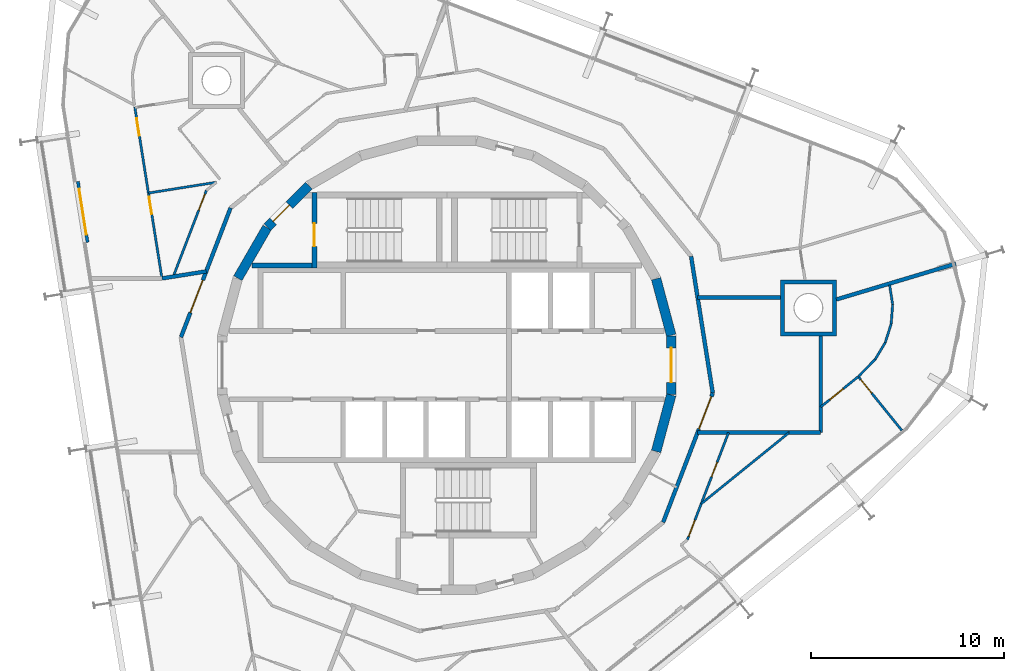
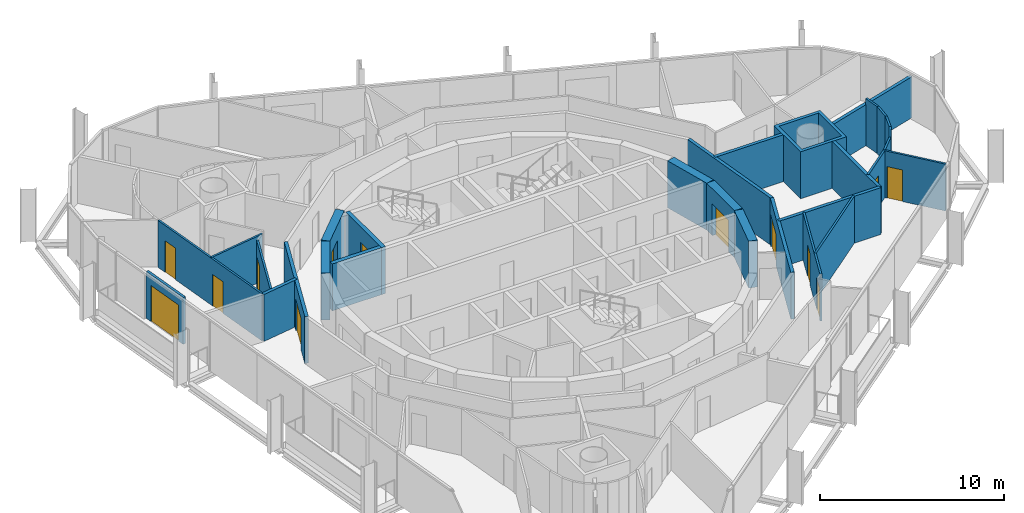
# One storey, part 14 of 18: 30 walls, 13 doors, 13 openings.
"""IFC4 building model written with IfcOpenShell, lengths in metres."""

from ifc_helpers import new_model, si_unit, direction, frame, frame_2d, origin, place, context, subcontext, project, spatial, polyline, rectangle, outline, extrude, material, layer, layer_set, type_object, element, fill, save


model = new_model("IFC4")

# Units and contexts
model_context = context("Model", 3, precision=1e-05, world=origin(), true_north=direction((0.0, 1.0)))
body_context = subcontext(model_context, "Body", "Model", "MODEL_VIEW")
ifc_project = project(units=[si_unit("LENGTHUNIT", "METRE"), si_unit("AREAUNIT", "SQUARE_METRE"), si_unit("VOLUMEUNIT", "CUBIC_METRE"), si_unit("PLANEANGLEUNIT", "RADIAN"), si_unit("MASSUNIT", "GRAM", prefix="KILO")], contexts=[model_context])

# Site, building, storey
site_placement = place(None, origin())
site = spatial("IfcSite", under=ifc_project, at=site_placement, CompositionType="ELEMENT")
building_placement = place(site_placement, origin())
building = spatial("IfcBuilding", under=site, at=building_placement, Name="Spindle Arch Residences", CompositionType="ELEMENT")
storey_placement = place(building_placement, frame((0.0, 0.0, 273.89990234375)))
storey = spatial("IfcBuildingStorey", under=building, at=storey_placement, Name="L70", CompositionType="ELEMENT", Elevation=273.89990234375)

# Wall
ifc_material_1 = material(Name="Concrete C50/60", Category="concrete")
ifc_layer_1 = layer(ifc_material_1, 0.5)
ifc_layer_set_1 = layer_set([ifc_layer_1], Name="Core outline wall 500")
wall_type_1 = type_object("IfcWallType", Name="Core outline wall 500", PredefinedType="SHEAR", material=ifc_layer_set_1)
wall_1_placement = place(storey_placement, frame((10.858154296875, -4.479248046875, 0.0), z_axis=(0.0, 0.0, 1.0), x_axis=(0.258734743916, 0.965948410781, 0.0)))
element("IfcWall", 1, at=wall_1_placement, inside=storey, type_object=wall_type_1, Name="Core outline wall 5", PredefinedType="SHEAR", context=body_context, shape_type="SweptSolid", body=[
    extrude(rectangle(XDim=3.03271484375, YDim=0.5, at=frame_2d((1.516357421875, 0.0))), origin(), (0.0, 0.0, 1.0), 3.1201171875),
])

# Wall, opening, door
wall_2_placement = place(storey_placement, frame((11.647216796875, -1.516357421875, 0.0), z_axis=(0.0, 0.0, 1.0), x_axis=(0.0, 1.0, 0.0)))
wall_2 = element("IfcWall", 2, at=wall_2_placement, inside=storey, type_object=wall_type_1, Name="Core outline wall 6", PredefinedType="SHEAR", context=body_context, shape_type="SweptSolid", body=[
    extrude(rectangle(XDim=3.03271484375, YDim=0.5, at=frame_2d((1.516357421875, 0.0))), origin(), (0.0, 0.0, 1.0), 3.1201171875),
])
opening_1_placement = place(wall_2_placement, frame((0.6162109375, 0.0, 0.0)))
opening_1 = element("IfcOpeningElement", 3, at=opening_1_placement, cuts=wall_2, Name="Opening R7B1-FE01", PredefinedType="OPENING", context=body_context, shape_type="SweptSolid", body=[
    extrude(rectangle(XDim=1.800048828125, YDim=2.10009765625, at=frame_2d((0.89990234375, 1.050048828125))), frame((0.0, 0.260009765625, 0.0), z_axis=(0.0, -1.0, 0.0), x_axis=(1.0, 0.0, 0.0)), (0.0, 0.0, 1.0), 0.52001953125),
])
ifc_material_2 = material(Name="Steel, fire-resisting door", Category="steel")
door_type_1 = type_object("IfcDoorType", Name="Fire-lift lobby door 1800x2100", OperationType="DOUBLE_DOOR_SINGLE_SWING", PredefinedType="DOOR", material=ifc_material_2)
door_1_placement = place(opening_1_placement, origin())
door_1 = element("IfcDoor", 4, at=door_1_placement, inside=storey, type_object=door_type_1, Name="Fire-lift lobby door R7B1-FE01", OperationType="DOUBLE_DOOR_SINGLE_SWING", OverallHeight=2.10009765625, OverallWidth=1.800048828125, PredefinedType="DOOR", context=body_context, shape_type="SweptSolid", body=[
    extrude(rectangle(XDim=1.800048828125, YDim=2.10009765625, at=frame_2d((0.89990234375, 1.050048828125))), frame((0.0, 0.02490234375, 0.0), z_axis=(0.0, -1.0, 0.0), x_axis=(1.0, 0.0, 0.0)), (0.0, 0.0, 1.0), 0.050048828125),
])
fill(opening_1, door_1)

# Wall
wall_3_placement = place(storey_placement, frame((11.642822265625, 1.5498046875, 0.0), z_axis=(0.0, 0.0, 1.0), x_axis=(-0.258734743916, 0.965948410781, 0.0)))
element("IfcWall", 5, at=wall_3_placement, inside=storey, type_object=wall_type_1, Name="Core outline wall 7", PredefinedType="SHEAR", context=body_context, shape_type="SweptSolid", body=[
    extrude(rectangle(XDim=3.03271484375, YDim=0.5, at=frame_2d((1.516357421875, 0.0))), origin(), (0.0, 0.0, 1.0), 3.1201171875),
])

# Wall, opening, door
wall_4_placement = place(storey_placement, frame((-7.163818359375, 9.30810546875, 0.0), z_axis=(0.0, 0.0, 1.0), x_axis=(-0.707106781187, -0.707106781187, 0.0)))
wall_4 = element("IfcWall", 6, at=wall_4_placement, inside=storey, type_object=wall_type_1, Name="Core outline wall 15", PredefinedType="SHEAR", context=body_context, shape_type="SweptSolid", body=[
    extrude(rectangle(XDim=3.032470703125, YDim=0.5, at=frame_2d((1.51611328125, 0.0))), origin(), (0.0, 0.0, 1.0), 3.1201171875),
])
opening_2_placement = place(wall_4_placement, frame((1.416259765625, 0.0, 0.0)))
opening_2 = element("IfcOpeningElement", 7, at=opening_2_placement, cuts=wall_4, Name="Opening R7B1-AD02", PredefinedType="OPENING", context=body_context, shape_type="SweptSolid", body=[
    extrude(rectangle(XDim=1.199951171875, YDim=2.10009765625, at=frame_2d((0.60009765625, 1.050048828125))), frame((0.0, 0.260009765625, 0.0), z_axis=(0.0, -1.0, 0.0), x_axis=(1.0, 0.0, 0.0)), (0.0, 0.0, 1.0), 0.52001953125),
])
ifc_material_3 = material(Name="Steel, fire-resisting door", Category="steel")
door_type_2 = type_object("IfcDoorType", Name="Stair airlock door 1200x2100", OperationType="SINGLE_SWING_LEFT", PredefinedType="DOOR", material=ifc_material_3)
door_2_placement = place(opening_2_placement, origin())
door_2 = element("IfcDoor", 8, at=door_2_placement, inside=storey, type_object=door_type_2, Name="Stair airlock door R7B1-AD02", OperationType="SINGLE_SWING_RIGHT", OverallHeight=2.10009765625, OverallWidth=1.199951171875, PredefinedType="DOOR", context=body_context, shape_type="SweptSolid", body=[
    extrude(rectangle(XDim=1.199951171875, YDim=2.10009765625, at=frame_2d((0.60009765625, 1.050048828125))), frame((0.0, 0.02490234375, 0.0), z_axis=(0.0, -1.0, 0.0), x_axis=(1.0, 0.0, 0.0)), (0.0, 0.0, 1.0), 0.050048828125),
])
fill(opening_2, door_2)

# Wall
wall_5_placement = place(storey_placement, frame((-9.32861328125, 7.13671875, 0.0), z_axis=(0.0, 0.0, 1.0), x_axis=(-0.500087131594, -0.865975092491, 0.0)))
element("IfcWall", 9, at=wall_5_placement, inside=storey, type_object=wall_type_1, Name="Core outline wall 16", PredefinedType="SHEAR", context=body_context, shape_type="SweptSolid", body=[
    extrude(rectangle(XDim=3.03271484375, YDim=0.5, at=frame_2d((1.516357421875, 0.0))), origin(), (0.0, 0.0, 1.0), 3.1201171875),
])

# Wall, opening, door
ifc_material_4 = material(Name="Calcium silicate block, plastered")
ifc_layer_2 = layer(ifc_material_4, 0.199951171875)
ifc_layer_set_2 = layer_set([ifc_layer_2], Name="Fire-lift lobby bay wall 200")
wall_type_2 = type_object("IfcWallType", Name="Fire-lift lobby bay wall 200", PredefinedType="STANDARD", material=ifc_layer_set_2)
wall_6_placement = place(storey_placement, frame((11.223388671875, -8.154296875, 0.0), z_axis=(0.0, 0.0, 1.0), x_axis=(0.358341090983, 0.93359073609, 0.0)))
wall_6 = element("IfcWall", 10, at=wall_6_placement, inside=storey, type_object=wall_type_2, Name="Fire-lift lobby bay wall R7B1-W004", PredefinedType="STANDARD", context=body_context, shape_type="SweptSolid", body=[
    extrude(rectangle(XDim=7.180908203125, YDim=0.199951171875, at=frame_2d((3.59033203125, 0.0))), origin(), (0.0, 0.0, 1.0), 3.1201171875),
])
opening_3_placement = place(wall_6_placement, frame((5.185302734375, 0.0, 0.0)))
opening_3 = element("IfcOpeningElement", 11, at=opening_3_placement, cuts=wall_6, Name="Opening R7B1-FB01", PredefinedType="OPENING", context=body_context, shape_type="SweptSolid", body=[
    extrude(rectangle(XDim=1.800048828125, YDim=2.10009765625, at=frame_2d((0.89990234375, 1.050048828125))), frame((0.0, 0.10986328125, 0.0), z_axis=(0.0, -1.0, 0.0), x_axis=(1.0, 0.0, 0.0)), (0.0, 0.0, 1.0), 0.219970703125),
])
ifc_material_5 = material(Name="Steel, fire-resisting door", Category="steel")
door_type_3 = type_object("IfcDoorType", Name="Fire-lift lobby bay door 1800x2100", OperationType="NOTDEFINED", PredefinedType="DOOR", material=ifc_material_5)
door_3_placement = place(opening_3_placement, origin())
door_3 = element("IfcDoor", 12, at=door_3_placement, inside=storey, type_object=door_type_3, Name="Fire-lift lobby bay door R7B1-FB01", OperationType="DOUBLE_DOOR_SINGLE_SWING", OverallHeight=2.10009765625, OverallWidth=1.800048828125, PredefinedType="DOOR", context=body_context, shape_type="SweptSolid", body=[
    extrude(rectangle(XDim=1.800048828125, YDim=2.10009765625, at=frame_2d((0.89990234375, 1.050048828125))), frame((0.0, 0.02490234375, 0.0), z_axis=(0.0, -1.0, 0.0), x_axis=(1.0, 0.0, 0.0)), (0.0, 0.0, 1.0), 0.050048828125),
])
fill(opening_3, door_3)

# Walls
wall_7_placement = place(storey_placement, frame((13.796630859375, -1.4501953125, 0.0), z_axis=(0.0, 0.0, 1.0), x_axis=(-0.156421704315, 0.987690361611, 0.0)))
element("IfcWall", 13, at=wall_7_placement, inside=storey, type_object=wall_type_2, Name="Fire-lift lobby bay wall R7B1-W005", PredefinedType="STANDARD", context=body_context, shape_type="SweptSolid", body=[
    extrude(rectangle(XDim=7.18115234375, YDim=0.199951171875, at=frame_2d((3.590576171875, 0.0))), origin(), (0.0, 0.0, 1.0), 3.1201171875),
])
wall_8_placement = place(storey_placement, frame((17.309326171875, 3.5, 0.0), z_axis=(0.0, 0.0, 1.0), x_axis=(-1.0, 0.0, 0.0)))
element("IfcWall", 14, at=wall_8_placement, inside=storey, type_object=wall_type_2, Name="Fire-lift lobby bay wall R7B1-W019", PredefinedType="STANDARD", context=body_context, shape_type="SweptSolid", body=[
    extrude(rectangle(XDim=4.296630859375, YDim=0.199951171875, at=frame_2d((2.1484375, 0.0))), origin(), (0.0, 0.0, 1.0), 3.1201171875),
])
wall_9_placement = place(storey_placement, frame((13.009765625, -3.5, 0.0), z_axis=(0.0, 0.0, 1.0), x_axis=(1.0, 0.0, 0.0)))
element("IfcWall", 15, at=wall_9_placement, inside=storey, type_object=wall_type_2, Name="Fire-lift lobby bay wall R7B1-W020", PredefinedType="STANDARD", context=body_context, shape_type="SweptSolid", body=[
    extrude(rectangle(XDim=4.75, YDim=0.199951171875, at=frame_2d((2.375, 0.0))), origin(), (0.0, 0.0, 1.0), 3.1201171875),
])
wall_10_placement = place(storey_placement, frame((19.39990234375, -3.5, 0.0), z_axis=(0.0, 0.0, 1.0), x_axis=(0.0, 1.0, 0.0)))
element("IfcWall", 16, at=wall_10_placement, inside=storey, type_object=wall_type_2, Name="Fire-lift lobby bay wall R7B1-W021", PredefinedType="STANDARD", context=body_context, shape_type="SweptSolid", body=[
    extrude(rectangle(XDim=5.021240234375, YDim=0.199951171875, at=frame_2d((2.5107421875, 0.0))), origin(), (0.0, 0.0, 1.0), 3.1201171875),
])
wall_11_placement = place(storey_placement, frame((17.759765625, -3.5, 0.0), z_axis=(0.0, 0.0, 1.0), x_axis=(1.0, 0.0, 0.0)))
element("IfcWall", 17, at=wall_11_placement, inside=storey, type_object=wall_type_2, Name="Fire-lift lobby bay wall R7B1-W022", PredefinedType="STANDARD", context=body_context, shape_type="SweptSolid", body=[
    extrude(rectangle(XDim=1.64013671875, YDim=0.199951171875, at=frame_2d((0.820068359375, 0.0))), origin(), (0.0, 0.0, 1.0), 3.1201171875),
])

# Wall, opening, door
ifc_material_6 = material(Name="Plasterboard on steel studs", Category="steel")
ifc_layer_3 = layer(ifc_material_6, 0.1201171875)
ifc_layer_set_3 = layer_set([ifc_layer_3], Name="Flat partition 120")
wall_type_3 = type_object("IfcWallType", Name="Flat partition 120", PredefinedType="PARTITIONING", material=ifc_layer_set_3)
wall_12_placement = place(storey_placement, frame((-12.4794921875, 9.06689453125, 0.0), z_axis=(0.0, 0.0, 1.0), x_axis=(-0.358402229057, -0.933567267104, 0.0)))
wall_12 = element("IfcWall", 18, at=wall_12_placement, inside=storey, type_object=wall_type_3, Name="Flat partition R7B1-W057", PredefinedType="PARTITIONING", context=body_context, shape_type="SweptSolid", body=[
    extrude(rectangle(XDim=4.79345703125, YDim=0.1201171875, at=frame_2d((2.396728515625, 0.0))), origin(), (0.0, 0.0, 1.0), 3.1201171875),
])
opening_4_placement = place(wall_12_placement, frame((0.199951171875, 0.0, 0.0)))
opening_4 = element("IfcOpeningElement", 19, at=opening_4_placement, cuts=wall_12, Name="Opening R7B1-ID11", PredefinedType="OPENING", context=body_context, shape_type="SweptSolid", body=[
    extrude(rectangle(XDim=0.89990234375, YDim=2.10009765625, at=frame_2d((0.449951171875, 1.050048828125))), frame((0.0, 0.070068359375, 0.0), z_axis=(0.0, -1.0, 0.0), x_axis=(1.0, 0.0, 0.0)), (0.0, 0.0, 1.0), 0.14013671875),
])
ifc_material_7 = material(Name="Timber door set", Category="wood")
door_type_4 = type_object("IfcDoorType", Name="Room door 900x2100", OperationType="NOTDEFINED", PredefinedType="DOOR", material=ifc_material_7)
door_4_placement = place(opening_4_placement, origin())
door_4 = element("IfcDoor", 20, at=door_4_placement, inside=storey, type_object=door_type_4, Name="Room door R7B1-ID11", OperationType="SINGLE_SWING_LEFT", OverallHeight=2.10009765625, OverallWidth=0.89990234375, PredefinedType="DOOR", context=body_context, shape_type="SweptSolid", body=[
    extrude(rectangle(XDim=0.89990234375, YDim=2.10009765625, at=frame_2d((0.449951171875, 1.050048828125))), frame((0.0, 0.02490234375, 0.0), z_axis=(0.0, -1.0, 0.0), x_axis=(1.0, 0.0, 0.0)), (0.0, 0.0, 1.0), 0.050048828125),
])
fill(opening_4, door_4)

# Wall, openings, doors
wall_13_placement = place(storey_placement, frame((-16.19189453125, 13.39892578125, 0.0), z_axis=(0.0, 0.0, 1.0), x_axis=(0.156405047803, -0.987692999379, 0.0)))
wall_13 = element("IfcWall", 21, at=wall_13_placement, inside=storey, type_object=wall_type_3, Name="Flat partition R7B1-W066", PredefinedType="PARTITIONING", context=body_context, shape_type="SweptSolid", body=[
    extrude(rectangle(XDim=9.009765625, YDim=0.1201171875, at=frame_2d((4.5048828125, 0.0))), origin(), (0.0, 0.0, 1.0), 3.1201171875),
])
opening_5_placement = place(wall_13_placement, frame((0.60009765625, 0.0, 0.0)))
opening_5 = element("IfcOpeningElement", 22, at=opening_5_placement, cuts=wall_13, Name="Opening R7B1-ID12", PredefinedType="OPENING", context=body_context, shape_type="SweptSolid", body=[
    extrude(rectangle(XDim=0.89990234375, YDim=2.10009765625, at=frame_2d((0.449951171875, 1.050048828125))), frame((0.0, 0.070068359375, 0.0), z_axis=(0.0, -1.0, 0.0), x_axis=(1.0, 0.0, 0.0)), (0.0, 0.0, 1.0), 0.14013671875),
])
opening_6_placement = place(wall_13_placement, frame((4.725341796875, 0.0, 0.0)))
opening_6 = element("IfcOpeningElement", 23, at=opening_6_placement, cuts=wall_13, Name="Opening R7B1-ID14", PredefinedType="OPENING", context=body_context, shape_type="SweptSolid", body=[
    extrude(rectangle(XDim=0.89990234375, YDim=2.10009765625, at=frame_2d((0.449951171875, 1.050048828125))), frame((0.0, 0.070068359375, 0.0), z_axis=(0.0, -1.0, 0.0), x_axis=(1.0, 0.0, 0.0)), (0.0, 0.0, 1.0), 0.14013671875),
])
door_5_placement = place(opening_5_placement, origin())
door_5 = element("IfcDoor", 24, at=door_5_placement, inside=storey, type_object=door_type_4, Name="Room door R7B1-ID12", OperationType="SINGLE_SWING_LEFT", OverallHeight=2.10009765625, OverallWidth=0.89990234375, PredefinedType="DOOR", context=body_context, shape_type="SweptSolid", body=[
    extrude(rectangle(XDim=0.89990234375, YDim=2.10009765625, at=frame_2d((0.449951171875, 1.050048828125))), frame((0.0, 0.02490234375, 0.0), z_axis=(0.0, -1.0, 0.0), x_axis=(1.0, 0.0, 0.0)), (0.0, 0.0, 1.0), 0.050048828125),
])
fill(opening_5, door_5)
door_6_placement = place(opening_6_placement, origin())
door_6 = element("IfcDoor", 25, at=door_6_placement, inside=storey, type_object=door_type_4, Name="Room door R7B1-ID14", OperationType="SINGLE_SWING_RIGHT", OverallHeight=2.10009765625, OverallWidth=0.89990234375, PredefinedType="DOOR", context=body_context, shape_type="SweptSolid", body=[
    extrude(rectangle(XDim=0.89990234375, YDim=2.10009765625, at=frame_2d((0.449951171875, 1.050048828125))), frame((0.0, 0.02490234375, 0.0), z_axis=(0.0, -1.0, 0.0), x_axis=(1.0, 0.0, 0.0)), (0.0, 0.0, 1.0), 0.050048828125),
])
fill(opening_6, door_6)

# Wall
wall_14_placement = place(storey_placement, frame((-15.484130859375, 8.92919921875, 0.0), z_axis=(0.0, 0.0, 1.0), x_axis=(0.987689619983, 0.156426387092, 0.0)))
element("IfcWall", 26, at=wall_14_placement, inside=storey, type_object=wall_type_3, Name="Flat partition R7B1-W067", PredefinedType="PARTITIONING", context=body_context, shape_type="SweptSolid", body=[
    extrude(rectangle(XDim=3.56787109375, YDim=0.1201171875, at=frame_2d((1.783935546875, 0.0))), origin(), (0.0, 0.0, 1.0), 3.1201171875),
])

# Wall, openings, doors
wall_15_placement = place(storey_placement, frame((12.4794921875, -9.06689453125, 0.0), z_axis=(0.0, 0.0, 1.0), x_axis=(0.358372669661, 0.933578614601, 0.0)))
wall_15 = element("IfcWall", 27, at=wall_15_placement, inside=storey, type_object=wall_type_3, Name="Flat partition R7B1-W096", PredefinedType="PARTITIONING", context=body_context, shape_type="SweptSolid", body=[
    extrude(rectangle(XDim=5.962890625, YDim=0.1201171875, at=frame_2d((2.9814453125, 0.0))), origin(), (0.0, 0.0, 1.0), 3.1201171875),
])
opening_7_placement = place(wall_15_placement, frame((0.199951171875, 0.0, 0.0)))
opening_7 = element("IfcOpeningElement", 28, at=opening_7_placement, cuts=wall_15, Name="Opening R7B1-ID26", PredefinedType="OPENING", context=body_context, shape_type="SweptSolid", body=[
    extrude(rectangle(XDim=0.89990234375, YDim=2.10009765625, at=frame_2d((0.449951171875, 1.050048828125))), frame((0.0, 0.070068359375, 0.0), z_axis=(0.0, -1.0, 0.0), x_axis=(1.0, 0.0, 0.0)), (0.0, 0.0, 1.0), 0.14013671875),
])
opening_8_placement = place(wall_15_placement, frame((3.506591796875, 0.0, 0.0)))
opening_8 = element("IfcOpeningElement", 29, at=opening_8_placement, cuts=wall_15, Name="Opening R7B1-BD06", PredefinedType="OPENING", context=body_context, shape_type="SweptSolid", body=[
    extrude(rectangle(XDim=0.800048828125, YDim=2.10009765625, at=frame_2d((0.39990234375, 1.050048828125))), frame((0.0, 0.070068359375, 0.0), z_axis=(0.0, -1.0, 0.0), x_axis=(1.0, 0.0, 0.0)), (0.0, 0.0, 1.0), 0.14013671875),
])
ifc_material_8 = material(Name="Timber door set", Category="wood")
door_type_5 = type_object("IfcDoorType", Name="Bathroom door 800x2100", OperationType="NOTDEFINED", PredefinedType="DOOR", material=ifc_material_8)
door_7_placement = place(opening_8_placement, origin())
door_7 = element("IfcDoor", 30, at=door_7_placement, inside=storey, type_object=door_type_5, Name="Bathroom door R7B1-BD06", OperationType="SINGLE_SWING_RIGHT", OverallHeight=2.10009765625, OverallWidth=0.800048828125, PredefinedType="DOOR", context=body_context, shape_type="SweptSolid", body=[
    extrude(rectangle(XDim=0.800048828125, YDim=2.10009765625, at=frame_2d((0.39990234375, 1.050048828125))), frame((0.0, 0.02490234375, 0.0), z_axis=(0.0, -1.0, 0.0), x_axis=(1.0, 0.0, 0.0)), (0.0, 0.0, 1.0), 0.050048828125),
])
fill(opening_8, door_7)
door_8_placement = place(opening_7_placement, origin())
door_8 = element("IfcDoor", 31, at=door_8_placement, inside=storey, type_object=door_type_4, Name="Room door R7B1-ID26", OperationType="SINGLE_SWING_RIGHT", OverallHeight=2.10009765625, OverallWidth=0.89990234375, PredefinedType="DOOR", context=body_context, shape_type="SweptSolid", body=[
    extrude(rectangle(XDim=0.89990234375, YDim=2.10009765625, at=frame_2d((0.449951171875, 1.050048828125))), frame((0.0, 0.02490234375, 0.0), z_axis=(0.0, -1.0, 0.0), x_axis=(1.0, 0.0, 0.0)), (0.0, 0.0, 1.0), 0.050048828125),
])
fill(opening_7, door_8)

# Walls
wall_16_placement = place(storey_placement, frame((22.972412109375, 4.15283203125, 0.0), z_axis=(0.0, 0.0, 1.0), x_axis=(0.156209385929, -0.987723963336, 0.0)))
element("IfcWall", 32, at=wall_16_placement, inside=storey, type_object=wall_type_3, Name="Flat partition R7B1-W097", PredefinedType="PARTITIONING", context=body_context, shape_type="SweptSolid", body=[
    extrude(rectangle(XDim=1.015869140625, YDim=0.1201171875, at=frame_2d((0.5078125, 0.0))), origin(), (0.0, 0.0, 1.0), 3.1201171875),
])
wall_17_placement = place(storey_placement, frame((23.131103515625, 3.1494140625, 0.0), z_axis=(0.0, 0.0, 1.0), x_axis=(-0.075446997935, -0.99714981347, 0.0)))
element("IfcWall", 33, at=wall_17_placement, inside=storey, type_object=wall_type_3, Name="Flat partition R7B1-W098", PredefinedType="PARTITIONING", context=body_context, shape_type="SweptSolid", body=[
    extrude(rectangle(XDim=1.01611328125, YDim=0.1201171875, at=frame_2d((0.508056640625, 0.0))), origin(), (0.0, 0.0, 1.0), 3.1201171875),
])
wall_18_placement = place(storey_placement, frame((23.054443359375, 2.13623046875, 0.0), z_axis=(0.0, 0.0, 1.0), x_axis=(-0.303511129679, -0.952827893253, 0.0)))
element("IfcWall", 34, at=wall_18_placement, inside=storey, type_object=wall_type_3, Name="Flat partition R7B1-W099", PredefinedType="PARTITIONING", context=body_context, shape_type="SweptSolid", body=[
    extrude(rectangle(XDim=1.015869140625, YDim=0.1201171875, at=frame_2d((0.5078125, 0.0))), origin(), (0.0, 0.0, 1.0), 3.1201171875),
])
wall_19_placement = place(storey_placement, frame((22.74609375, 1.168212890625, 0.0), z_axis=(0.0, 0.0, 1.0), x_axis=(-0.515096534995, -0.857132171626, 0.0)))
element("IfcWall", 35, at=wall_19_placement, inside=storey, type_object=wall_type_3, Name="Flat partition R7B1-W100", PredefinedType="PARTITIONING", context=body_context, shape_type="SweptSolid", body=[
    extrude(rectangle(XDim=1.015625, YDim=0.1201171875, at=frame_2d((0.5078125, 0.0))), origin(), (0.0, 0.0, 1.0), 3.1201171875),
])
wall_20_placement = place(storey_placement, frame((22.222900390625, 0.297607421875, 0.0), z_axis=(0.0, 0.0, 1.0), x_axis=(-0.69880109182, -0.715316037896, 0.0)))
element("IfcWall", 36, at=wall_20_placement, inside=storey, type_object=wall_type_3, Name="Flat partition R7B1-W101", PredefinedType="PARTITIONING", context=body_context, shape_type="SweptSolid", body=[
    extrude(rectangle(XDim=1.22705078125, YDim=0.1201171875, at=frame_2d((0.613525390625, 0.0))), origin(), (0.0, 0.0, 1.0), 3.1201171875),
])

# Wall, opening, door
wall_21_placement = place(storey_placement, frame((21.346923828125, -0.59521484375, 0.0), z_axis=(0.0, 0.0, 1.0), x_axis=(0.62934843781, -0.7771232488, 0.0)))
wall_21 = element("IfcWall", 37, at=wall_21_placement, inside=storey, type_object=wall_type_3, Name="Flat partition R7B1-W102", PredefinedType="PARTITIONING", context=body_context, shape_type="SweptSolid", body=[
    extrude(rectangle(XDim=3.599853515625, YDim=0.1201171875, at=frame_2d((1.7998046875, 0.0))), origin(), (0.0, 0.0, 1.0), 3.1201171875),
])
opening_9_placement = place(wall_21_placement, frame((0.199951171875, 0.0, 0.0)))
opening_9 = element("IfcOpeningElement", 38, at=opening_9_placement, cuts=wall_21, Name="Opening R7B1-ID27", PredefinedType="OPENING", context=body_context, shape_type="SweptSolid", body=[
    extrude(rectangle(XDim=0.89990234375, YDim=2.10009765625, at=frame_2d((0.449951171875, 1.050048828125))), frame((0.0, 0.070068359375, 0.0), z_axis=(0.0, -1.0, 0.0), x_axis=(1.0, 0.0, 0.0)), (0.0, 0.0, 1.0), 0.14013671875),
])
door_9_placement = place(opening_9_placement, origin())
door_9 = element("IfcDoor", 39, at=door_9_placement, inside=storey, type_object=door_type_4, Name="Room door R7B1-ID27", OperationType="SINGLE_SWING_RIGHT", OverallHeight=2.10009765625, OverallWidth=0.89990234375, PredefinedType="DOOR", context=body_context, shape_type="SweptSolid", body=[
    extrude(rectangle(XDim=0.89990234375, YDim=2.10009765625, at=frame_2d((0.449951171875, 1.050048828125))), frame((0.0, 0.02490234375, 0.0), z_axis=(0.0, -1.0, 0.0), x_axis=(1.0, 0.0, 0.0)), (0.0, 0.0, 1.0), 0.050048828125),
])
fill(opening_9, door_9)

wall_22_placement = place(storey_placement, frame((19.39990234375, -2.171875, 0.0), z_axis=(0.0, 0.0, 1.0), x_axis=(0.777147279935, 0.629318762862, 0.0)))
wall_22 = element("IfcWall", 40, at=wall_22_placement, inside=storey, type_object=wall_type_3, Name="Flat partition R7B1-W103", PredefinedType="PARTITIONING", context=body_context, shape_type="SweptSolid", body=[
    extrude(rectangle(XDim=2.50537109375, YDim=0.1201171875, at=frame_2d((1.252685546875, 0.0))), origin(), (0.0, 0.0, 1.0), 3.1201171875),
])
opening_10_placement = place(wall_22_placement, frame((0.60009765625, 0.0, 0.0)))
opening_10 = element("IfcOpeningElement", 41, at=opening_10_placement, cuts=wall_22, Name="Opening R7B1-ID28", PredefinedType="OPENING", context=body_context, shape_type="SweptSolid", body=[
    extrude(rectangle(XDim=0.89990234375, YDim=2.10009765625, at=frame_2d((0.449951171875, 1.050048828125))), frame((0.0, 0.070068359375, 0.0), z_axis=(0.0, -1.0, 0.0), x_axis=(1.0, 0.0, 0.0)), (0.0, 0.0, 1.0), 0.14013671875),
])
door_10_placement = place(opening_10_placement, origin())
door_10 = element("IfcDoor", 42, at=door_10_placement, inside=storey, type_object=door_type_4, Name="Room door R7B1-ID28", OperationType="SINGLE_SWING_LEFT", OverallHeight=2.10009765625, OverallWidth=0.89990234375, PredefinedType="DOOR", context=body_context, shape_type="SweptSolid", body=[
    extrude(rectangle(XDim=0.89990234375, YDim=2.10009765625, at=frame_2d((0.449951171875, 1.050048828125))), frame((0.0, 0.02490234375, 0.0), z_axis=(0.0, -1.0, 0.0), x_axis=(1.0, 0.0, 0.0)), (0.0, 0.0, 1.0), 0.050048828125),
])
fill(opening_10, door_10)

# Walls
wall_23_placement = place(storey_placement, frame((17.759765625, -3.5, 0.0), z_axis=(0.0, 0.0, 1.0), x_axis=(-0.777133455716, -0.62933583404, 0.0)))
element("IfcWall", 43, at=wall_23_placement, inside=storey, type_object=wall_type_3, Name="Flat partition R7B1-W105", PredefinedType="PARTITIONING", context=body_context, shape_type="SweptSolid", body=[
    extrude(rectangle(XDim=5.869140625, YDim=0.1201171875, at=frame_2d((2.9345703125, 0.0))), origin(), (0.0, 0.0, 1.0), 3.1201171875),
])
ifc_material_9 = material(Name="Calcium silicate block, plastered")
ifc_layer_4 = layer(ifc_material_9, 0.199951171875)
ifc_layer_set_4 = layer_set([ifc_layer_4], Name="Flat party wall 200 under beam 2730")
wall_type_4 = type_object("IfcWallType", Name="Flat party wall 200 under beam 2730", PredefinedType="STANDARD", material=ifc_layer_set_4)
wall_24_placement = place(storey_placement, frame((20.20947265625, 3.4052734375, 0.0), z_axis=(0.0, 0.0, 1.0), x_axis=(0.957991224208, 0.286797514529, 0.0)))
element("IfcWall", 44, at=wall_24_placement, inside=storey, type_object=wall_type_4, Name="Flat party wall R7B1-W024", PredefinedType="STANDARD", context=body_context, shape_type="SweptSolid", body=[
    extrude(rectangle(XDim=6.471435546875, YDim=0.199951171875, at=frame_2d((3.23583984375, 0.0))), origin(), (0.0, 0.0, 1.0), 2.72998046875),
])

# Wall, opening, door
ifc_material_10 = material(Name="Non-combustible mineral wool insulated aluminium faced external wall (K0)", Category="aluminium")
ifc_layer_5 = layer(ifc_material_10, 0.159912109375)
ifc_layer_set_5 = layer_set([ifc_layer_5], Name="Insulated external wall panel 160")
wall_type_5 = type_object("IfcWallType", Name="Insulated external wall panel 160", PredefinedType="STANDARD", material=ifc_layer_set_5)
wall_25_placement = place(storey_placement, frame((-19.1435546875, 9.53271484375, 0.0), z_axis=(0.0, 0.0, 1.0), x_axis=(0.156401347891, -0.987693585267, 0.0)))
wall_25 = element("IfcWall", 45, at=wall_25_placement, inside=storey, type_object=wall_type_5, Name="External wall L70 bay 12", PredefinedType="STANDARD", context=body_context, shape_type="SweptSolid", body=[
    extrude(rectangle(XDim=3.199951171875, YDim=0.159912109375, at=frame_2d((1.60009765625, 0.0))), origin(), (0.0, 0.0, 1.0), 3.1201171875),
])
opening_11_placement = place(wall_25_placement, frame((0.39990234375, 0.0, 0.0)))
opening_11 = element("IfcOpeningElement", 46, at=opening_11_placement, cuts=wall_25, Name="Opening BD12", PredefinedType="OPENING", context=body_context, shape_type="SweptSolid", body=[
    extrude(rectangle(XDim=2.39990234375, YDim=2.39990234375, at=frame_2d((1.199951171875, 1.199951171875))), frame((0.0, 0.08984375, 0.0), z_axis=(0.0, -1.0, 0.0), x_axis=(1.0, 0.0, 0.0)), (0.0, 0.0, 1.0), 0.179931640625),
])
ifc_material_11 = material(Name="Bronze aluminium frame, tinted double glazing", Category="aluminium")
door_type_6 = type_object("IfcDoorType", Name="Sliding glazed balcony door 2400x2400", OperationType="DOUBLE_DOOR_SLIDING", PredefinedType="DOOR", material=ifc_material_11)
door_11_placement = place(opening_11_placement, origin())
door_11 = element("IfcDoor", 47, at=door_11_placement, inside=storey, type_object=door_type_6, Name="Balcony door BD12", OperationType="DOUBLE_DOOR_SLIDING", OverallHeight=2.39990234375, OverallWidth=2.39990234375, PredefinedType="DOOR", context=body_context, shape_type="SweptSolid", body=[
    extrude(rectangle(XDim=2.39990234375, YDim=2.39990234375, at=frame_2d((1.199951171875, 1.199951171875))), frame((0.0, 0.02490234375, 0.0), z_axis=(0.0, -1.0, 0.0), x_axis=(1.0, 0.0, 0.0)), (0.0, 0.0, 1.0), 0.050048828125),
])
fill(opening_11, door_11)

ifc_material_12 = material(Name="Calcium silicate block, plastered")
ifc_layer_6 = layer(ifc_material_12, 0.199951171875)
ifc_layer_set_6 = layer_set([ifc_layer_6], Name="Lift lobby bay wall 200")
wall_type_6 = type_object("IfcWallType", Name="Lift lobby bay wall 200", PredefinedType="STANDARD", material=ifc_layer_set_6)
wall_26_placement = place(storey_placement, frame((-11.223388671875, 8.154296875, 0.0), z_axis=(0.0, 0.0, 1.0), x_axis=(-0.358341090983, -0.93359073609, 0.0)))
wall_26 = element("IfcWall", 48, at=wall_26_placement, inside=storey, type_object=wall_type_6, Name="Lift lobby bay wall R7B1-W009", PredefinedType="STANDARD", context=body_context, shape_type="SweptSolid", body=[
    extrude(rectangle(XDim=7.180908203125, YDim=0.199951171875, at=frame_2d((3.59033203125, 0.0))), origin(), (0.0, 0.0, 1.0), 3.1201171875),
])
opening_12_placement = place(wall_26_placement, frame((4.01416015625, 0.0, 0.0)))
opening_12 = element("IfcOpeningElement", 49, at=opening_12_placement, cuts=wall_26, Name="Opening R7B1-LB01", PredefinedType="OPENING", context=body_context, shape_type="SweptSolid", body=[
    extrude(rectangle(XDim=1.800048828125, YDim=2.10009765625, at=frame_2d((0.89990234375, 1.050048828125))), frame((0.0, 0.10986328125, 0.0), z_axis=(0.0, -1.0, 0.0), x_axis=(1.0, 0.0, 0.0)), (0.0, 0.0, 1.0), 0.219970703125),
])
ifc_material_13 = material(Name="Steel, fire-resisting door", Category="steel")
door_type_7 = type_object("IfcDoorType", Name="Lift lobby bay door 1800x2100", OperationType="NOTDEFINED", PredefinedType="DOOR", material=ifc_material_13)
door_12_placement = place(opening_12_placement, origin())
door_12 = element("IfcDoor", 50, at=door_12_placement, inside=storey, type_object=door_type_7, Name="Lift lobby bay door R7B1-LB01", OperationType="DOUBLE_DOOR_SINGLE_SWING", OverallHeight=2.10009765625, OverallWidth=1.800048828125, PredefinedType="DOOR", context=body_context, shape_type="SweptSolid", body=[
    extrude(rectangle(XDim=1.800048828125, YDim=2.10009765625, at=frame_2d((0.89990234375, 1.050048828125))), frame((0.0, 0.02490234375, 0.0), z_axis=(0.0, -1.0, 0.0), x_axis=(1.0, 0.0, 0.0)), (0.0, 0.0, 1.0), 0.050048828125),
])
fill(opening_12, door_12)

# Walls
wall_27_placement = place(storey_placement, frame((-12.48681640625, 4.86279296875, 0.0), z_axis=(0.0, 0.0, 1.0), x_axis=(-0.98769031179, -0.156422018898, 0.0)))
element("IfcWall", 51, at=wall_27_placement, inside=storey, type_object=wall_type_6, Name="Lift lobby bay wall R7B1-W016", PredefinedType="STANDARD", context=body_context, shape_type="SweptSolid", body=[
    extrude(rectangle(XDim=2.3193359375, YDim=0.199951171875, at=frame_2d((1.15966796875, 0.0))), origin(), (0.0, 0.0, 1.0), 3.1201171875),
])
ifc_material_14 = material(Name="Calcium silicate block, plastered")
ifc_layer_7 = layer(ifc_material_14, 0.199951171875)
ifc_layer_set_7 = layer_set([ifc_layer_7], Name="Mega-column casing wall 200")
wall_type_7 = type_object("IfcWallType", Name="Mega-column casing wall 200", PredefinedType="STANDARD", material=ifc_layer_set_7)
wall_28_placement = place(storey_placement, origin())
element("IfcWall", 52, at=wall_28_placement, inside=storey, type_object=wall_type_7, Name="Mega-column casing wall R7B1-WC01", PredefinedType="STANDARD", context=body_context, shape_type="SweptSolid", body=[
    extrude(outline(polyline([(20.20947265625, 4.421142578125), (20.20947265625, 1.521240234375), (17.309326171875, 1.521240234375), (17.309326171875, 4.421142578125), (20.20947265625, 4.421142578125)]), holes=[polyline([(17.509521484375, 1.72119140625), (20.009521484375, 1.72119140625), (20.009521484375, 4.22119140625), (17.509521484375, 4.22119140625), (17.509521484375, 1.72119140625)])]), origin(), (0.0, 0.0, 1.0), 3.1201171875),
])
ifc_material_15 = material(Name="Concrete C40/50", Category="concrete")
ifc_layer_8 = layer(ifc_material_15, 0.25)
ifc_layer_set_8 = layer_set([ifc_layer_8], Name="Stair airlock wall 250")
wall_type_8 = type_object("IfcWallType", Name="Stair airlock wall 250", PredefinedType="SHEAR", material=ifc_layer_set_8)
wall_29_placement = place(storey_placement, frame((-7.0, 5.175048828125, 0.0), z_axis=(0.0, 0.0, 1.0), x_axis=(-1.0, 0.0, 0.0)))
element("IfcWall", 53, at=wall_29_placement, inside=storey, type_object=wall_type_8, Name="Stair ST-2 airlock wall S", PredefinedType="SHEAR", context=body_context, shape_type="SweptSolid", body=[
    extrude(rectangle(XDim=3.10009765625, YDim=0.25, at=frame_2d((1.550048828125, 0.0))), origin(), (0.0, 0.0, 1.0), 3.1201171875),
])

# Wall, opening, door
ifc_material_16 = material(Name="Concrete C50/60", Category="concrete")
ifc_layer_9 = layer(ifc_material_16, 0.25)
ifc_layer_set_9 = layer_set([ifc_layer_9], Name="Stair enclosure wall 250")
wall_type_9 = type_object("IfcWallType", Name="Stair enclosure wall 250", PredefinedType="SHEAR", material=ifc_layer_set_9)
wall_30_placement = place(storey_placement, frame((-6.875, 8.969970703125, 0.0), z_axis=(0.0, 0.0, 1.0), x_axis=(0.0, -1.0, 0.0)))
wall_30 = element("IfcWall", 54, at=wall_30_placement, inside=storey, type_object=wall_type_9, Name="Stair ST-2 door wall", PredefinedType="SHEAR", context=body_context, shape_type="SweptSolid", body=[
    extrude(rectangle(XDim=3.919921875, YDim=0.25, at=frame_2d((1.9599609375, 0.0))), origin(), (0.0, 0.0, 1.0), 3.1201171875),
])
opening_13_placement = place(wall_30_placement, frame((1.610107421875, 0.0, 0.0)))
opening_13 = element("IfcOpeningElement", 55, at=opening_13_placement, cuts=wall_30, Name="Opening R7B1-SD02", PredefinedType="OPENING", context=body_context, shape_type="SweptSolid", body=[
    extrude(rectangle(XDim=1.199951171875, YDim=2.10009765625, at=frame_2d((0.60009765625, 1.050048828125))), frame((0.0, 0.135009765625, 0.0), z_axis=(0.0, -1.0, 0.0), x_axis=(1.0, 0.0, 0.0)), (0.0, 0.0, 1.0), 0.27001953125),
])
ifc_material_17 = material(Name="Steel, fire-resisting door", Category="steel")
door_type_8 = type_object("IfcDoorType", Name="Stair door 1200x2100", OperationType="SINGLE_SWING_RIGHT", PredefinedType="DOOR", material=ifc_material_17)
door_13_placement = place(opening_13_placement, origin())
door_13 = element("IfcDoor", 56, at=door_13_placement, inside=storey, type_object=door_type_8, Name="Stair door R7B1-SD02", OperationType="SINGLE_SWING_LEFT", OverallHeight=2.10009765625, OverallWidth=1.199951171875, PredefinedType="DOOR", context=body_context, shape_type="SweptSolid", body=[
    extrude(rectangle(XDim=1.199951171875, YDim=2.10009765625, at=frame_2d((0.60009765625, 1.050048828125))), frame((0.0, 0.02490234375, 0.0), z_axis=(0.0, -1.0, 0.0), x_axis=(1.0, 0.0, 0.0)), (0.0, 0.0, 1.0), 0.050048828125),
])
fill(opening_13, door_13)

save(model, "model.ifc")
